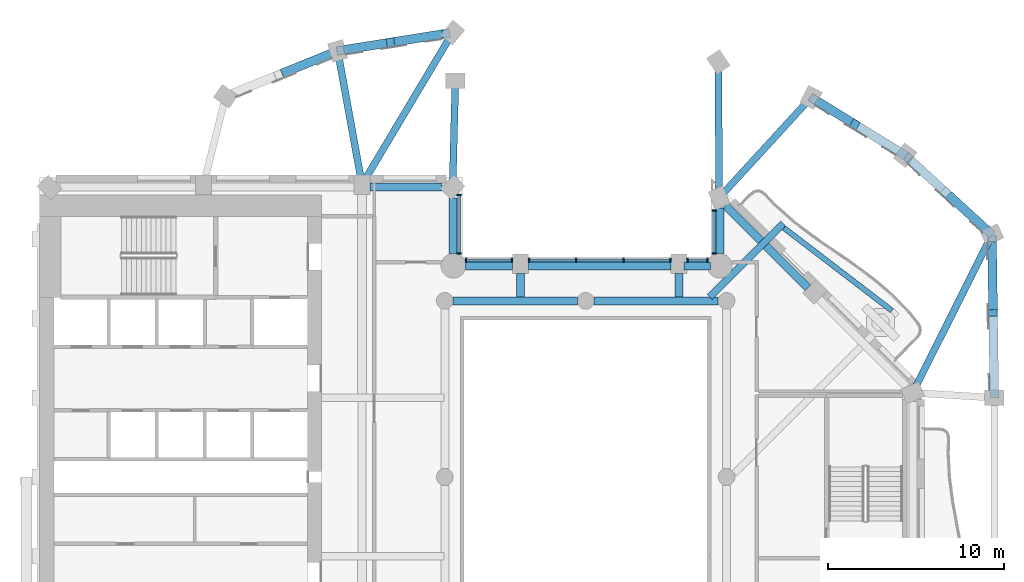
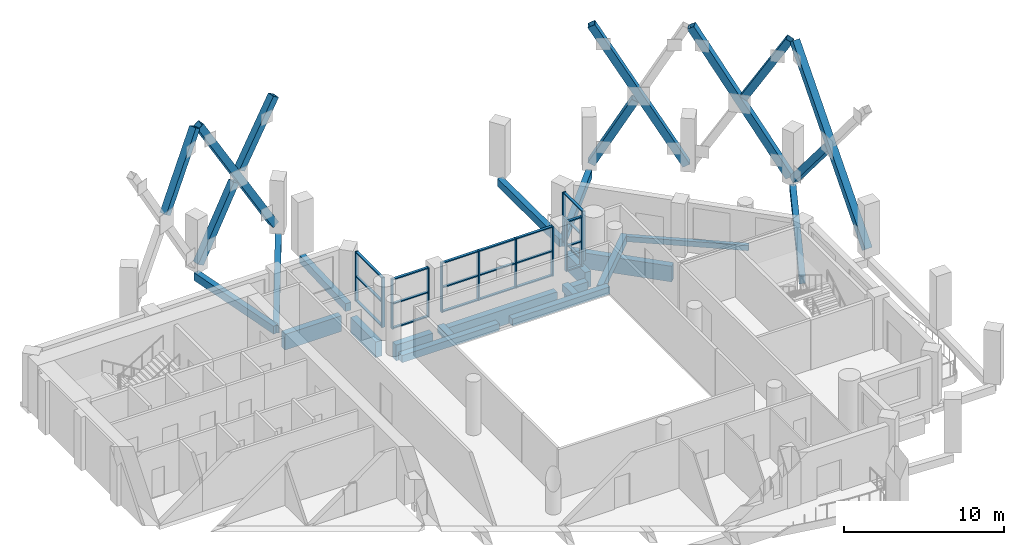
# One storey, part 2 of 17: 43 members, 19 beams, 5 elements without a shape of their own.
"""IFC4 building model written with IfcOpenShell, lengths in metres."""

from ifc_helpers import new_model, si_unit, direction, frame, origin, origin_2d, place, context, subcontext, project, spatial, rectangle, hollow_rectangle, extrude, material, material_profile, profile_set, type_object, element, aggregate, save


model = new_model("IFC4")

# Units and contexts
model_context = context("Model", 3, precision=1e-05, world=origin(), true_north=direction((0.0, 1.0)))
body_context = subcontext(model_context, "Body", "Model", "MODEL_VIEW")
ifc_project = project(units=[si_unit("LENGTHUNIT", "METRE"), si_unit("AREAUNIT", "SQUARE_METRE"), si_unit("VOLUMEUNIT", "CUBIC_METRE"), si_unit("PLANEANGLEUNIT", "RADIAN"), si_unit("MASSUNIT", "GRAM", prefix="KILO")], contexts=[model_context])

# Site, building, storey
site_placement = place(None, origin())
site = spatial("IfcSite", under=ifc_project, at=site_placement, CompositionType="ELEMENT")
building_placement = place(site_placement, origin())
building = spatial("IfcBuilding", under=site, at=building_placement, Name="Cypress Arch Tower", CompositionType="ELEMENT")
storey_placement = place(building_placement, frame((0.0, 0.0, 217.89990234375)))
storey = spatial("IfcBuildingStorey", under=building, at=storey_placement, Name="L48", CompositionType="ELEMENT", Elevation=217.89990234375)

# Beams
ifc_material_1 = material(Name="Concrete C50/60", Category="concrete")
ifc_material_profile_1 = material_profile(ifc_material_1, rectangle(XDim=0.300048828125, YDim=0.39990234375, at=origin_2d()), Name="RC 300x400")
ifc_profile_set_1 = profile_set([ifc_material_profile_1], Name="Concrete C50/60")
beam_type_1 = type_object("IfcBeamType", Name="Balcony edge beam RC 300x400 Concrete C50/60", PredefinedType="BEAM", material=ifc_profile_set_1)
beam_1_placement = place(storey_placement, frame((18.38671875, 9.4453125, -0.5), z_axis=(-0.794089650459, 0.607800647445, 0.0), x_axis=(-0.607800647445, -0.794089650459, 0.0)))
element("IfcBeam", 1, at=beam_1_placement, inside=storey, type_object=beam_type_1, Name="Balcony edge beam L48 B05", PredefinedType="BEAM", context=body_context, shape_type="SweptSolid", body=[
    extrude(rectangle(XDim=0.300048828125, YDim=0.39990234375, at=origin_2d()), origin(), (0.0, 0.0, 1.0), 7.728271484375),
])
ifc_material_2 = material(Name="Concrete C50/60", Category="concrete")
ifc_material_profile_2 = material_profile(ifc_material_2, rectangle(XDim=0.39990234375, YDim=0.64990234375, at=origin_2d()), Name="RC 400x650")
ifc_profile_set_2 = profile_set([ifc_material_profile_2], Name="Concrete C50/60")
beam_type_2 = type_object("IfcBeamType", Name="Cantilever beam RC 400x650 Concrete C50/60", PredefinedType="BEAM", material=ifc_profile_set_2)
beam_2_placement = place(storey_placement, frame((8.04931640625, 10.22509765625, -0.625), z_axis=(0.707106781187, 0.707106781187, 0.0), x_axis=(-0.707106781187, 0.707106781187, 0.0)))
element("IfcBeam", 2, at=beam_2_placement, inside=storey, type_object=beam_type_2, Name="Cantilever beam L48 B05 2", PredefinedType="BEAM", context=body_context, shape_type="SweptSolid", body=[
    extrude(rectangle(XDim=0.39990234375, YDim=0.64990234375, at=origin_2d()), origin(), (0.0, 0.0, 1.0), 5.89013671875),
])

# Members
ifc_material_3 = material(Name="Steel ASTM A500 Grade C", Category="steel")
ifc_material_profile_3 = material_profile(ifc_material_3, hollow_rectangle(XDim=0.508056640625, YDim=0.508056640625, WallThickness=0.017578125, at=origin_2d()), Name="HSS 20x20x3/4")
ifc_profile_set_3 = profile_set([ifc_material_profile_3], Name="Steel ASTM A500 Grade C")
member_type_1 = type_object("IfcMemberType", Name="Exoskeleton brace HSS 20x20x3/4 Steel ASTM A500 Grade C", PredefinedType="BRACE", material=ifc_profile_set_3)
member_1_placement = place(storey_placement, frame((-6.93212890625, 25.17529296875, 0.65234375), z_axis=(-0.505584670669, -0.080730521878, 0.858991690077), x_axis=(0.157680025713, -0.987490257922, 0.0)))
element("IfcMember", 3, at=member_1_placement, inside=storey, type_object=member_type_1, Name="Exoskeleton brace L48 CQ02-CQ03a", PredefinedType="BRACE", context=body_context, shape_type="SweptSolid", body=[
    extrude(hollow_rectangle(XDim=0.508056640625, YDim=0.508056640625, WallThickness=0.017578125, at=origin_2d()), origin(), (0.0, 0.0, 1.0), 11.860595703125),
])
member_2_placement = place(storey_placement, frame((-6.93212890625, 25.17529296875, 10.447998046875), z_axis=(-0.520278376179, -0.083104554975, -0.849943553551), x_axis=(0.157731437326, -0.987482047269, 0.0)))
element("IfcMember", 4, at=member_2_placement, inside=storey, type_object=member_type_1, Name="Exoskeleton brace L48 CQ02-CQ03b1", PredefinedType="BRACE", context=body_context, shape_type="SweptSolid", body=[
    extrude(hollow_rectangle(XDim=0.508056640625, YDim=0.508056640625, WallThickness=0.017578125, at=origin_2d()), origin(), (0.0, 0.0, 1.0), 5.232177734375),
])
member_3_placement = place(storey_placement, frame((-12.9287109375, 24.2177734375, 0.259521484375), z_axis=(0.491532190594, 0.078459347949, 0.867317840431), x_axis=(-0.157626526516, 0.987498799057, 0.0)))
element("IfcMember", 5, at=member_3_placement, inside=storey, type_object=member_type_1, Name="Exoskeleton brace L48 CQ02-CQ03b2", PredefinedType="BRACE", context=body_context, shape_type="SweptSolid", body=[
    extrude(hollow_rectangle(XDim=0.508056640625, YDim=0.508056640625, WallThickness=0.017578125, at=origin_2d()), origin(), (0.0, 0.0, 1.0), 5.781494140625),
])
member_4_placement = place(storey_placement, frame((-13.226806640625, 24.13427734375, 10.846435546875), z_axis=(-0.4826891813, -0.195486816119, -0.853695530608), x_axis=(0.375378569734, -0.926871581927, 0.0)))
element("IfcMember", 6, at=member_4_placement, inside=storey, type_object=member_type_1, Name="Exoskeleton brace L48 CQ03-CQ04b1", PredefinedType="BRACE", context=body_context, shape_type="SweptSolid", body=[
    extrude(hollow_rectangle(XDim=0.508056640625, YDim=0.508056640625, WallThickness=0.017578125, at=origin_2d()), origin(), (0.0, 0.0, 1.0), 5.832275390625),
])
member_5_placement = place(storey_placement, frame((24.197509765625, 4.675048828125, 0.2099609375), z_axis=(-0.009415469252, 0.640534020566, 0.76787207101), x_axis=(-0.999891981245, -0.014697817606, 0.0)))
element("IfcMember", 7, at=member_5_placement, inside=storey, type_object=member_type_1, Name="Exoskeleton brace L48 CQ14-CQ15a", PredefinedType="BRACE", context=body_context, shape_type="SweptSolid", body=[
    extrude(hollow_rectangle(XDim=0.508056640625, YDim=0.508056640625, WallThickness=0.017578125, at=origin_2d()), origin(), (0.0, 0.0, 1.0), 13.846435546875),
])
member_6_placement = place(storey_placement, frame((24.067138671875, 13.544189453125, 0.2578125), z_axis=(0.009415695854, -0.64223201051, 0.766452470378), x_axis=(0.999892546406, 0.014659319295, 0.0)))
element("IfcMember", 8, at=member_6_placement, inside=storey, type_object=member_type_1, Name="Exoskeleton brace L48 CQ14-CQ15b2", PredefinedType="BRACE", context=body_context, shape_type="SweptSolid", body=[
    extrude(hollow_rectangle(XDim=0.508056640625, YDim=0.508056640625, WallThickness=0.017578125, at=origin_2d()), origin(), (0.0, 0.0, 1.0), 6.5859375),
])
member_7_placement = place(storey_placement, frame((23.921875, 13.88916015625, 0.320068359375), z_axis=(-0.38024185119, 0.348034813706, 0.856906005961), x_axis=(-0.675176044465, -0.737656633523, 0.0)))
element("IfcMember", 9, at=member_7_placement, inside=storey, type_object=member_type_1, Name="Exoskeleton brace L48 CQ15-CQ16a", PredefinedType="BRACE", context=body_context, shape_type="SweptSolid", body=[
    extrude(hollow_rectangle(XDim=0.508056640625, YDim=0.508056640625, WallThickness=0.017578125, at=origin_2d()), origin(), (0.0, 0.0, 1.0), 12.2802734375),
])
member_8_placement = place(storey_placement, frame((23.921875, 13.88916015625, 10.7802734375), z_axis=(-0.381909880226, 0.349557032425, -0.855543525759), x_axis=(-0.675171287783, -0.737660987279, 0.0)))
element("IfcMember", 10, at=member_8_placement, inside=storey, type_object=member_type_1, Name="Exoskeleton brace L48 CQ15-CQ16b1", PredefinedType="BRACE", context=body_context, shape_type="SweptSolid", body=[
    extrude(hollow_rectangle(XDim=0.508056640625, YDim=0.508056640625, WallThickness=0.017578125, at=origin_2d()), origin(), (0.0, 0.0, 1.0), 5.6748046875),
])
member_9_placement = place(storey_placement, frame((19.010009765625, 18.346435546875, 0.266845703125), z_axis=(-0.418602629322, 0.257463858202, 0.870909984122), x_axis=(-0.523894090473, -0.851783412592, 0.0)))
element("IfcMember", 11, at=member_9_placement, inside=storey, type_object=member_type_1, Name="Exoskeleton brace L48 CQ16-CQ17a", PredefinedType="BRACE", context=body_context, shape_type="SweptSolid", body=[
    extrude(hollow_rectangle(XDim=0.508056640625, YDim=0.508056640625, WallThickness=0.017578125, at=origin_2d()), origin(), (0.0, 0.0, 1.0), 12.1328125),
])
member_10_placement = place(storey_placement, frame((13.93115234375, 21.47021484375, 0.2666015625), z_axis=(0.418596905239, -0.257434271595, 0.870921481382), x_axis=(0.523855606168, 0.851807081378, 0.0)))
element("IfcMember", 12, at=member_10_placement, inside=storey, type_object=member_type_1, Name="Exoskeleton brace L48 CQ16-CQ17b2", PredefinedType="BRACE", context=body_context, shape_type="SweptSolid", body=[
    extrude(hollow_rectangle(XDim=0.508056640625, YDim=0.508056640625, WallThickness=0.017578125, at=origin_2d()), origin(), (0.0, 0.0, 1.0), 5.6171875),
])

# Beams
ifc_material_4 = material(Name="Concrete C50/60", Category="concrete")
ifc_material_profile_4 = material_profile(ifc_material_4, rectangle(XDim=0.449951171875, YDim=0.550048828125, at=origin_2d()), Name="RC 450x550")
ifc_profile_set_4 = profile_set([ifc_material_profile_4], Name="Concrete C50/60")
beam_type_3 = type_object("IfcBeamType", Name="Floor beam RC 450x550 Concrete C50/60", PredefinedType="BEAM", material=ifc_profile_set_4)
for number, where, z_axis, x_axis, name in (
    (13, (-6.52490234375, 10.0, -0.574951171875), (1.0, 0.0, 0.0), (0.0, 1.0, 0.0), "Floor beam L48 RB007"),
    (14, (1.47509765625, 10.0, -0.574951171875), (1.0, 0.0, 0.0), (0.0, 1.0, 0.0), "Floor beam L48 RB008"),
):
    element("IfcBeam", number, at=place(storey_placement, frame(where, z_axis=z_axis, x_axis=x_axis)), inside=storey, type_object=beam_type_3, Name=name, PredefinedType="BEAM", context=body_context, shape_type="SweptSolid", body=[
        extrude(rectangle(XDim=0.449951171875, YDim=0.550048828125, at=origin_2d()), origin(), (0.0, 0.0, 1.0), 7.0498046875),
    ])
for number, where, z_axis, x_axis, name in (
    (15, (-2.699951171875, 10.22509765625, -0.574951171875), (0.0, 1.0, 0.0), (-1.0, 0.0, 0.0), "Floor beam L48 FB015"),
    (16, (6.300048828125, 10.22509765625, -0.574951171875), (0.0, 1.0, 0.0), (-1.0, 0.0, 0.0), "Floor beam L48 FB017"),
):
    element("IfcBeam", number, at=place(storey_placement, frame(where, z_axis=z_axis, x_axis=x_axis)), inside=storey, type_object=beam_type_3, Name=name, PredefinedType="BEAM", context=body_context, shape_type="SweptSolid", body=[
        extrude(rectangle(XDim=0.449951171875, YDim=0.550048828125, at=origin_2d()), origin(), (0.0, 0.0, 1.0), 1.324951171875),
    ])

# Curtain wall, members
ifc_material_5 = material(Name="Anodised aluminium, bronze finish, clear laminated double glazing", Category="aluminium")
curtain_wall_type = type_object("IfcCurtainWallType", Name="Curtain wall CW7 slot glazing", PredefinedType="NOTDEFINED", material=ifc_material_5)
curtain_wall_1_placement = place(storey_placement, origin())
curtain_wall_1 = element("IfcCurtainWall", 17, at=curtain_wall_1_placement, inside=storey, type_object=curtain_wall_type, Name="Curtain wall L48 slot B06.0", PredefinedType="NOTDEFINED")
ifc_material_6 = material(Name="Anodised aluminium, bronze finish", Category="aluminium")
ifc_material_profile_5 = material_profile(ifc_material_6, rectangle(XDim=0.239990234375, YDim=0.0849609375, at=origin_2d()), Name="Mullion 85x240")
ifc_profile_set_5 = profile_set([ifc_material_profile_5], Name="Anodised aluminium, bronze finish")
member_type_2 = type_object("IfcMemberType", Name="Mullion CW7 85x240", PredefinedType="MULLION", material=ifc_profile_set_5)
member_11_placement = place(storey_placement, frame((8.300048828125, 15.12744140625, 0.0), z_axis=(0.0, 0.0, 1.0), x_axis=(1.0, 0.0, 0.0)))
member_11 = element("IfcMember", 18, at=member_11_placement, type_object=member_type_2, Name="CW7 mullion 1", PredefinedType="MULLION", context=body_context, shape_type="SweptSolid", body=[
    extrude(rectangle(XDim=0.239990234375, YDim=0.0849609375, at=origin_2d()), origin(), (0.0, 0.0, 1.0), 3.800048828125),
])
member_12_placement = place(storey_placement, frame((8.300048828125, 12.697021484375, 0.0), z_axis=(0.0, 0.0, 1.0), x_axis=(1.0, 0.0, 0.0)))
member_12 = element("IfcMember", 19, at=member_12_placement, type_object=member_type_2, Name="CW7 mullion 2", PredefinedType="MULLION", context=body_context, shape_type="SweptSolid", body=[
    extrude(rectangle(XDim=0.239990234375, YDim=0.0849609375, at=origin_2d()), origin(), (0.0, 0.0, 1.0), 3.800048828125),
])

curtain_wall_2_placement = place(storey_placement, origin())
curtain_wall_2 = element("IfcCurtainWall", 20, at=curtain_wall_2_placement, inside=storey, type_object=curtain_wall_type, Name="Curtain wall L48 slot B07.0", PredefinedType="NOTDEFINED")
member_13_placement = place(storey_placement, frame((7.903076171875, 12.300048828125, 0.0), z_axis=(0.0, 0.0, 1.0), x_axis=(0.0, -1.0, 0.0)))
member_13 = element("IfcMember", 21, at=member_13_placement, type_object=member_type_2, Name="CW7 mullion 1", PredefinedType="MULLION", context=body_context, shape_type="SweptSolid", body=[
    extrude(rectangle(XDim=0.239990234375, YDim=0.0849609375, at=origin_2d()), origin(), (0.0, 0.0, 1.0), 3.800048828125),
])
member_14_placement = place(storey_placement, frame((6.79248046875, 12.300048828125, 0.0), z_axis=(0.0, 0.0, 1.0), x_axis=(0.0, -1.0, 0.0)))
member_14 = element("IfcMember", 22, at=member_14_placement, type_object=member_type_2, Name="CW7 mullion 2", PredefinedType="MULLION", context=body_context, shape_type="SweptSolid", body=[
    extrude(rectangle(XDim=0.239990234375, YDim=0.0849609375, at=origin_2d()), origin(), (0.0, 0.0, 1.0), 3.800048828125),
])

curtain_wall_3_placement = place(storey_placement, origin())
curtain_wall_3 = element("IfcCurtainWall", 23, at=curtain_wall_3_placement, inside=storey, type_object=curtain_wall_type, Name="Curtain wall L48 slot B07.1", PredefinedType="NOTDEFINED")
member_15_placement = place(storey_placement, frame((5.8076171875, 12.300048828125, 0.0), z_axis=(0.0, 0.0, 1.0), x_axis=(0.0, -1.0, 0.0)))
member_15 = element("IfcMember", 24, at=member_15_placement, type_object=member_type_2, Name="CW7 mullion 1", PredefinedType="MULLION", context=body_context, shape_type="SweptSolid", body=[
    extrude(rectangle(XDim=0.239990234375, YDim=0.0849609375, at=origin_2d()), origin(), (0.0, 0.0, 1.0), 3.800048828125),
])
member_16_placement = place(storey_placement, frame((3.14990234375, 12.300048828125, 0.0), z_axis=(0.0, 0.0, 1.0), x_axis=(0.0, -1.0, 0.0)))
member_16 = element("IfcMember", 25, at=member_16_placement, type_object=member_type_2, Name="CW7 mullion 2", PredefinedType="MULLION", context=body_context, shape_type="SweptSolid", body=[
    extrude(rectangle(XDim=0.239990234375, YDim=0.0849609375, at=origin_2d()), origin(), (0.0, 0.0, 1.0), 3.800048828125),
])
member_17_placement = place(storey_placement, frame((0.449951171875, 12.300048828125, 0.0), z_axis=(0.0, 0.0, 1.0), x_axis=(0.0, -1.0, 0.0)))
member_17 = element("IfcMember", 26, at=member_17_placement, type_object=member_type_2, Name="CW7 mullion 3", PredefinedType="MULLION", context=body_context, shape_type="SweptSolid", body=[
    extrude(rectangle(XDim=0.239990234375, YDim=0.0849609375, at=origin_2d()), origin(), (0.0, 0.0, 1.0), 3.800048828125),
])
member_18_placement = place(storey_placement, frame((-2.20751953125, 12.300048828125, 0.0), z_axis=(0.0, 0.0, 1.0), x_axis=(0.0, -1.0, 0.0)))
member_18 = element("IfcMember", 27, at=member_18_placement, type_object=member_type_2, Name="CW7 mullion 4", PredefinedType="MULLION", context=body_context, shape_type="SweptSolid", body=[
    extrude(rectangle(XDim=0.239990234375, YDim=0.0849609375, at=origin_2d()), origin(), (0.0, 0.0, 1.0), 3.800048828125),
])

curtain_wall_4_placement = place(storey_placement, origin())
curtain_wall_4 = element("IfcCurtainWall", 28, at=curtain_wall_4_placement, inside=storey, type_object=curtain_wall_type, Name="Curtain wall L48 slot B07.2", PredefinedType="NOTDEFINED")
member_19_placement = place(storey_placement, frame((-3.1923828125, 12.300048828125, 0.0), z_axis=(0.0, 0.0, 1.0), x_axis=(0.0, -1.0, 0.0)))
member_19 = element("IfcMember", 29, at=member_19_placement, type_object=member_type_2, Name="CW7 mullion 1", PredefinedType="MULLION", context=body_context, shape_type="SweptSolid", body=[
    extrude(rectangle(XDim=0.239990234375, YDim=0.0849609375, at=origin_2d()), origin(), (0.0, 0.0, 1.0), 3.800048828125),
])
member_20_placement = place(storey_placement, frame((-5.802978515625, 12.300048828125, 0.0), z_axis=(0.0, 0.0, 1.0), x_axis=(0.0, -1.0, 0.0)))
member_20 = element("IfcMember", 30, at=member_20_placement, type_object=member_type_2, Name="CW7 mullion 2", PredefinedType="MULLION", context=body_context, shape_type="SweptSolid", body=[
    extrude(rectangle(XDim=0.239990234375, YDim=0.0849609375, at=origin_2d()), origin(), (0.0, 0.0, 1.0), 3.800048828125),
])

curtain_wall_5_placement = place(storey_placement, origin())
curtain_wall_5 = element("IfcCurtainWall", 31, at=curtain_wall_5_placement, inside=storey, type_object=curtain_wall_type, Name="Curtain wall L48 slot B08.0", PredefinedType="NOTDEFINED")
member_21_placement = place(storey_placement, frame((-6.199951171875, 12.697021484375, 0.0), z_axis=(0.0, 0.0, 1.0), x_axis=(-1.0, 0.0, 0.0)))
member_21 = element("IfcMember", 32, at=member_21_placement, type_object=member_type_2, Name="CW7 mullion 1", PredefinedType="MULLION", context=body_context, shape_type="SweptSolid", body=[
    extrude(rectangle(XDim=0.239990234375, YDim=0.0849609375, at=origin_2d()), origin(), (0.0, 0.0, 1.0), 3.800048828125),
])
member_22_placement = place(storey_placement, frame((-6.199951171875, 16.02099609375, 0.0), z_axis=(0.0, 0.0, 1.0), x_axis=(-1.0, 0.0, 0.0)))
member_22 = element("IfcMember", 33, at=member_22_placement, type_object=member_type_2, Name="CW7 mullion 2", PredefinedType="MULLION", context=body_context, shape_type="SweptSolid", body=[
    extrude(rectangle(XDim=0.239990234375, YDim=0.0849609375, at=origin_2d()), origin(), (0.0, 0.0, 1.0), 3.800048828125),
])

# Beams
ifc_material_7 = material(Name="Concrete C50/60", Category="concrete")
ifc_material_profile_6 = material_profile(ifc_material_7, rectangle(XDim=0.39990234375, YDim=0.60009765625, at=origin_2d()), Name="RC 400x600")
ifc_profile_set_6 = profile_set([ifc_material_profile_6], Name="Concrete C50/60")
beam_type_4 = type_object("IfcBeamType", Name="Pilotis tie beam RC 400x600 Concrete C50/60", PredefinedType="BEAM", material=ifc_profile_set_6)
beam_3_placement = place(storey_placement, frame((8.53076171875, 23.564697265625, -0.599853515625), z_axis=(0.005886346529, -0.999982675312, 0.0), x_axis=(0.999982675312, 0.005886346529, 0.0)))
element("IfcBeam", 34, at=beam_3_placement, inside=storey, type_object=beam_type_4, Name="Pilotis tie beam L48 CQ00-CB12", PredefinedType="BEAM", context=body_context, shape_type="SweptSolid", body=[
    extrude(rectangle(XDim=0.39990234375, YDim=0.60009765625, at=origin_2d()), origin(), (0.0, 0.0, 1.0), 7.714599609375),
])
beam_4_placement = place(storey_placement, frame((-6.39990234375, 22.5, -0.599853515625), z_axis=(-0.02594853496, -0.999663280077, 0.0), x_axis=(0.999663280077, -0.02594853496, 0.0)))
element("IfcBeam", 35, at=beam_4_placement, inside=storey, type_object=beam_type_4, Name="Pilotis tie beam L48 CQ01-CB17", PredefinedType="BEAM", context=body_context, shape_type="SweptSolid", body=[
    extrude(rectangle(XDim=0.39990234375, YDim=0.60009765625, at=origin_2d()), origin(), (0.0, 0.0, 1.0), 6.05908203125),
])
beam_5_placement = place(storey_placement, frame((-6.54833984375, 25.236572265625, -0.599853515625), z_axis=(-0.51228050024, -0.85881819326, 0.0), x_axis=(0.85881819326, -0.51228050024, 0.0)))
element("IfcBeam", 36, at=beam_5_placement, inside=storey, type_object=beam_type_4, Name="Pilotis tie beam L48 CQ02-CB18", PredefinedType="BEAM", context=body_context, shape_type="SweptSolid", body=[
    extrude(rectangle(XDim=0.39990234375, YDim=0.60009765625, at=origin_2d()), origin(), (0.0, 0.0, 1.0), 10.05615234375),
])
beam_6_placement = place(storey_placement, frame((-13.081298828125, 24.193359375, -0.599853515625), z_axis=(0.178980083609, -0.983852697141, 0.0), x_axis=(0.983852697141, 0.178980083609, 0.0)))
element("IfcBeam", 37, at=beam_6_placement, inside=storey, type_object=beam_type_4, Name="Pilotis tie beam L48 CQ03-CB18", PredefinedType="BEAM", context=body_context, shape_type="SweptSolid", body=[
    extrude(rectangle(XDim=0.39990234375, YDim=0.60009765625, at=origin_2d()), origin(), (0.0, 0.0, 1.0), 7.7177734375),
])
beam_7_placement = place(storey_placement, frame((24.06396484375, 13.75927734375, -0.599853515625), z_axis=(-0.447602582549, -0.894232591721, 0.0), x_axis=(0.894232591721, -0.447602582549, 0.0)))
element("IfcBeam", 38, at=beam_7_placement, inside=storey, type_object=beam_type_4, Name="Pilotis tie beam L48 CQ15-CB10", PredefinedType="BEAM", context=body_context, shape_type="SweptSolid", body=[
    extrude(rectangle(XDim=0.39990234375, YDim=0.60009765625, at=origin_2d()), origin(), (0.0, 0.0, 1.0), 10.041015625),
])
beam_8_placement = place(storey_placement, frame((13.80322265625, 21.549072265625, -0.599853515625), z_axis=(-0.675950483499, -0.736947042776, 0.0), x_axis=(0.736947042776, -0.675950483499, 0.0)))
element("IfcBeam", 39, at=beam_8_placement, inside=storey, type_object=beam_type_4, Name="Pilotis tie beam L48 CQ17-CB12", PredefinedType="BEAM", context=body_context, shape_type="SweptSolid", body=[
    extrude(rectangle(XDim=0.39990234375, YDim=0.60009765625, at=origin_2d()), origin(), (0.0, 0.0, 1.0), 7.73291015625),
])
ifc_material_8 = material(Name="Concrete C50/60", Category="concrete")
ifc_material_profile_7 = material_profile(ifc_material_8, rectangle(XDim=0.449951171875, YDim=1.199951171875, at=origin_2d()), Name="RC 450x1200")
ifc_profile_set_7 = profile_set([ifc_material_profile_7], Name="Concrete C50/60")
beam_type_5 = type_object("IfcBeamType", Name="Spandrel beam RC 450x1200 Concrete C50/60", PredefinedType="SPANDREL", material=ifc_profile_set_7)
beam_9_placement = place(storey_placement, frame((13.622802734375, 10.73486328125, -1.5498046875), z_axis=(-0.707106781187, 0.707106781187, 0.0), x_axis=(-0.707106781187, -0.707106781187, 0.0)))
element("IfcBeam", 40, at=beam_9_placement, inside=storey, type_object=beam_type_5, Name="Spandrel beam L48 BB05-1", PredefinedType="SPANDREL", context=body_context, shape_type="SweptSolid", body=[
    extrude(rectangle(XDim=0.449951171875, YDim=1.199951171875, at=origin_2d()), origin(), (0.0, 0.0, 1.0), 6.610595703125),
])
beam_10_placement = place(storey_placement, frame((8.625, 15.275146484375, -1.5498046875), z_axis=(0.0, -1.0, 0.0), x_axis=(1.0, 0.0, 0.0)))
element("IfcBeam", 41, at=beam_10_placement, inside=storey, type_object=beam_type_5, Name="Spandrel beam L48 BB06-0", PredefinedType="SPANDREL", context=body_context, shape_type="SweptSolid", body=[
    extrude(rectangle(XDim=0.449951171875, YDim=1.199951171875, at=origin_2d()), origin(), (0.0, 0.0, 1.0), 2.587646484375),
])
beam_11_placement = place(storey_placement, frame((8.081298828125, 11.97509765625, -1.5498046875), z_axis=(-1.0, 0.0, 0.0), x_axis=(0.0, -1.0, 0.0)))
element("IfcBeam", 42, at=beam_11_placement, inside=storey, type_object=beam_type_5, Name="Spandrel beam L48 BB07-0", PredefinedType="SPANDREL", context=body_context, shape_type="SweptSolid", body=[
    extrude(rectangle(XDim=0.449951171875, YDim=1.199951171875, at=origin_2d()), origin(), (0.0, 0.0, 1.0), 1.5),
])
beam_12_placement = place(storey_placement, frame((5.85009765625, 11.97509765625, -1.5498046875), z_axis=(-1.0, 0.0, 0.0), x_axis=(0.0, -1.0, 0.0)))
element("IfcBeam", 43, at=beam_12_placement, inside=storey, type_object=beam_type_5, Name="Spandrel beam L48 BB07-1", PredefinedType="SPANDREL", context=body_context, shape_type="SweptSolid", body=[
    extrude(rectangle(XDim=0.449951171875, YDim=1.199951171875, at=origin_2d()), origin(), (0.0, 0.0, 1.0), 8.10009765625),
])
beam_13_placement = place(storey_placement, frame((-3.14990234375, 11.97509765625, -1.5498046875), z_axis=(-1.0, 0.0, 0.0), x_axis=(0.0, -1.0, 0.0)))
element("IfcBeam", 44, at=beam_13_placement, inside=storey, type_object=beam_type_5, Name="Spandrel beam L48 BB07-2", PredefinedType="SPANDREL", context=body_context, shape_type="SweptSolid", body=[
    extrude(rectangle(XDim=0.449951171875, YDim=1.199951171875, at=origin_2d()), origin(), (0.0, 0.0, 1.0), 2.66259765625),
])
beam_14_placement = place(storey_placement, frame((-6.52490234375, 12.6875, -1.5498046875), z_axis=(0.0, 1.0, 0.0), x_axis=(-1.0, 0.0, 0.0)))
element("IfcBeam", 45, at=beam_14_placement, inside=storey, type_object=beam_type_5, Name="Spandrel beam L48 BB08-0", PredefinedType="SPANDREL", context=body_context, shape_type="SweptSolid", body=[
    extrude(rectangle(XDim=0.449951171875, YDim=1.199951171875, at=origin_2d()), origin(), (0.0, 0.0, 1.0), 3.151123046875),
])
beam_15_placement = place(storey_placement, frame((-7.161376953125, 16.47509765625, -1.5498046875), z_axis=(-1.0, 0.0, 0.0), x_axis=(0.0, -1.0, 0.0)))
element("IfcBeam", 46, at=beam_15_placement, inside=storey, type_object=beam_type_5, Name="Spandrel beam L48 BB09-0", PredefinedType="SPANDREL", context=body_context, shape_type="SweptSolid", body=[
    extrude(rectangle(XDim=0.449951171875, YDim=1.199951171875, at=origin_2d()), origin(), (0.0, 0.0, 1.0), 4.088623046875),
])

# Member
ifc_material_9 = material(Name="Anodised aluminium, bronze finish", Category="aluminium")
ifc_material_profile_8 = material_profile(ifc_material_9, rectangle(XDim=0.179931640625, YDim=0.0849609375, at=origin_2d()), Name="Transom 85x180")
ifc_profile_set_8 = profile_set([ifc_material_profile_8], Name="Anodised aluminium, bronze finish")
member_type_3 = type_object("IfcMemberType", Name="Transom CW7 85x180", PredefinedType="USERDEFINED", material=ifc_profile_set_8)
member_23_placement = place(storey_placement, frame((8.300048828125, 15.0849609375, 0.04248046875), z_axis=(0.0, -1.0, 0.0), x_axis=(1.0, 0.0, 0.0)))
member_23 = element("IfcMember", 47, at=member_23_placement, type_object=member_type_3, Name="CW7 transom 1.1", ObjectType="TRANSOM", PredefinedType="USERDEFINED", context=body_context, shape_type="SweptSolid", body=[
    extrude(rectangle(XDim=0.179931640625, YDim=0.0849609375, at=origin_2d()), origin(), (0.0, 0.0, 1.0), 2.345458984375),
])

member_24_placement = place(storey_placement, frame((8.300048828125, 15.0849609375, 1.900146484375), z_axis=(0.0, -1.0, 0.0), x_axis=(1.0, 0.0, 0.0)))
member_24 = element("IfcMember", 48, at=member_24_placement, type_object=member_type_3, Name="CW7 transom 1.2", ObjectType="TRANSOM", PredefinedType="USERDEFINED", context=body_context, shape_type="SweptSolid", body=[
    extrude(rectangle(XDim=0.179931640625, YDim=0.0849609375, at=origin_2d()), origin(), (0.0, 0.0, 1.0), 2.345458984375),
])

member_25_placement = place(storey_placement, frame((8.300048828125, 15.0849609375, 3.757568359375), z_axis=(0.0, -1.0, 0.0), x_axis=(1.0, 0.0, 0.0)))
member_25 = element("IfcMember", 49, at=member_25_placement, type_object=member_type_3, Name="CW7 transom 1.3", ObjectType="TRANSOM", PredefinedType="USERDEFINED", context=body_context, shape_type="SweptSolid", body=[
    extrude(rectangle(XDim=0.179931640625, YDim=0.0849609375, at=origin_2d()), origin(), (0.0, 0.0, 1.0), 2.345458984375),
])

aggregate(curtain_wall_1, [member_11, member_12, member_23, member_24, member_25])

member_26_placement = place(storey_placement, frame((7.8603515625, 12.300048828125, 0.04248046875), z_axis=(-1.0, 0.0, 0.0), x_axis=(0.0, -1.0, 0.0)))
member_26 = element("IfcMember", 50, at=member_26_placement, type_object=member_type_3, Name="CW7 transom 1.1", ObjectType="TRANSOM", PredefinedType="USERDEFINED", context=body_context, shape_type="SweptSolid", body=[
    extrude(rectangle(XDim=0.179931640625, YDim=0.0849609375, at=origin_2d()), origin(), (0.0, 0.0, 1.0), 1.025390625),
])

member_27_placement = place(storey_placement, frame((7.8603515625, 12.300048828125, 1.900146484375), z_axis=(-1.0, 0.0, 0.0), x_axis=(0.0, -1.0, 0.0)))
member_27 = element("IfcMember", 51, at=member_27_placement, type_object=member_type_3, Name="CW7 transom 1.2", ObjectType="TRANSOM", PredefinedType="USERDEFINED", context=body_context, shape_type="SweptSolid", body=[
    extrude(rectangle(XDim=0.179931640625, YDim=0.0849609375, at=origin_2d()), origin(), (0.0, 0.0, 1.0), 1.025390625),
])

member_28_placement = place(storey_placement, frame((7.8603515625, 12.300048828125, 3.757568359375), z_axis=(-1.0, 0.0, 0.0), x_axis=(0.0, -1.0, 0.0)))
member_28 = element("IfcMember", 52, at=member_28_placement, type_object=member_type_3, Name="CW7 transom 1.3", ObjectType="TRANSOM", PredefinedType="USERDEFINED", context=body_context, shape_type="SweptSolid", body=[
    extrude(rectangle(XDim=0.179931640625, YDim=0.0849609375, at=origin_2d()), origin(), (0.0, 0.0, 1.0), 1.025390625),
])

aggregate(curtain_wall_2, [member_13, member_14, member_26, member_27, member_28])

member_29_placement = place(storey_placement, frame((5.764892578125, 12.300048828125, 0.04248046875), z_axis=(-1.0, 0.0, 0.0), x_axis=(0.0, -1.0, 0.0)))
member_29 = element("IfcMember", 53, at=member_29_placement, type_object=member_type_3, Name="CW7 transom 1.1", ObjectType="TRANSOM", PredefinedType="USERDEFINED", context=body_context, shape_type="SweptSolid", body=[
    extrude(rectangle(XDim=0.179931640625, YDim=0.0849609375, at=origin_2d()), origin(), (0.0, 0.0, 1.0), 2.572509765625),
])

member_30_placement = place(storey_placement, frame((5.764892578125, 12.300048828125, 1.900146484375), z_axis=(-1.0, 0.0, 0.0), x_axis=(0.0, -1.0, 0.0)))
member_30 = element("IfcMember", 54, at=member_30_placement, type_object=member_type_3, Name="CW7 transom 1.2", ObjectType="TRANSOM", PredefinedType="USERDEFINED", context=body_context, shape_type="SweptSolid", body=[
    extrude(rectangle(XDim=0.179931640625, YDim=0.0849609375, at=origin_2d()), origin(), (0.0, 0.0, 1.0), 2.572509765625),
])

member_31_placement = place(storey_placement, frame((5.764892578125, 12.300048828125, 3.757568359375), z_axis=(-1.0, 0.0, 0.0), x_axis=(0.0, -1.0, 0.0)))
member_31 = element("IfcMember", 55, at=member_31_placement, type_object=member_type_3, Name="CW7 transom 1.3", ObjectType="TRANSOM", PredefinedType="USERDEFINED", context=body_context, shape_type="SweptSolid", body=[
    extrude(rectangle(XDim=0.179931640625, YDim=0.0849609375, at=origin_2d()), origin(), (0.0, 0.0, 1.0), 2.572509765625),
])

member_32_placement = place(storey_placement, frame((3.107421875, 12.300048828125, 0.04248046875), z_axis=(-1.0, 0.0, 0.0), x_axis=(0.0, -1.0, 0.0)))
member_32 = element("IfcMember", 56, at=member_32_placement, type_object=member_type_3, Name="CW7 transom 2.1", ObjectType="TRANSOM", PredefinedType="USERDEFINED", context=body_context, shape_type="SweptSolid", body=[
    extrude(rectangle(XDim=0.179931640625, YDim=0.0849609375, at=origin_2d()), origin(), (0.0, 0.0, 1.0), 2.614990234375),
])

member_33_placement = place(storey_placement, frame((3.107421875, 12.300048828125, 1.900146484375), z_axis=(-1.0, 0.0, 0.0), x_axis=(0.0, -1.0, 0.0)))
member_33 = element("IfcMember", 57, at=member_33_placement, type_object=member_type_3, Name="CW7 transom 2.2", ObjectType="TRANSOM", PredefinedType="USERDEFINED", context=body_context, shape_type="SweptSolid", body=[
    extrude(rectangle(XDim=0.179931640625, YDim=0.0849609375, at=origin_2d()), origin(), (0.0, 0.0, 1.0), 2.614990234375),
])

member_34_placement = place(storey_placement, frame((3.107421875, 12.300048828125, 3.757568359375), z_axis=(-1.0, 0.0, 0.0), x_axis=(0.0, -1.0, 0.0)))
member_34 = element("IfcMember", 58, at=member_34_placement, type_object=member_type_3, Name="CW7 transom 2.3", ObjectType="TRANSOM", PredefinedType="USERDEFINED", context=body_context, shape_type="SweptSolid", body=[
    extrude(rectangle(XDim=0.179931640625, YDim=0.0849609375, at=origin_2d()), origin(), (0.0, 0.0, 1.0), 2.614990234375),
])

member_35_placement = place(storey_placement, frame((0.407470703125, 12.300048828125, 0.04248046875), z_axis=(-1.0, 0.0, 0.0), x_axis=(0.0, -1.0, 0.0)))
member_35 = element("IfcMember", 59, at=member_35_placement, type_object=member_type_3, Name="CW7 transom 3.1", ObjectType="TRANSOM", PredefinedType="USERDEFINED", context=body_context, shape_type="SweptSolid", body=[
    extrude(rectangle(XDim=0.179931640625, YDim=0.0849609375, at=origin_2d()), origin(), (0.0, 0.0, 1.0), 2.572509765625),
])

member_36_placement = place(storey_placement, frame((0.407470703125, 12.300048828125, 1.900146484375), z_axis=(-1.0, 0.0, 0.0), x_axis=(0.0, -1.0, 0.0)))
member_36 = element("IfcMember", 60, at=member_36_placement, type_object=member_type_3, Name="CW7 transom 3.2", ObjectType="TRANSOM", PredefinedType="USERDEFINED", context=body_context, shape_type="SweptSolid", body=[
    extrude(rectangle(XDim=0.179931640625, YDim=0.0849609375, at=origin_2d()), origin(), (0.0, 0.0, 1.0), 2.572509765625),
])

member_37_placement = place(storey_placement, frame((0.407470703125, 12.300048828125, 3.757568359375), z_axis=(-1.0, 0.0, 0.0), x_axis=(0.0, -1.0, 0.0)))
member_37 = element("IfcMember", 61, at=member_37_placement, type_object=member_type_3, Name="CW7 transom 3.3", ObjectType="TRANSOM", PredefinedType="USERDEFINED", context=body_context, shape_type="SweptSolid", body=[
    extrude(rectangle(XDim=0.179931640625, YDim=0.0849609375, at=origin_2d()), origin(), (0.0, 0.0, 1.0), 2.572509765625),
])

aggregate(curtain_wall_3, [member_15, member_16, member_17, member_18, member_29, member_30, member_31, member_32, member_33, member_34, member_35, member_36, member_37])

member_38_placement = place(storey_placement, frame((-3.235107421875, 12.300048828125, 0.04248046875), z_axis=(-1.0, 0.0, 0.0), x_axis=(0.0, -1.0, 0.0)))
member_38 = element("IfcMember", 62, at=member_38_placement, type_object=member_type_3, Name="CW7 transom 1.1", ObjectType="TRANSOM", PredefinedType="USERDEFINED", context=body_context, shape_type="SweptSolid", body=[
    extrude(rectangle(XDim=0.179931640625, YDim=0.0849609375, at=origin_2d()), origin(), (0.0, 0.0, 1.0), 2.525390625),
])

member_39_placement = place(storey_placement, frame((-3.235107421875, 12.300048828125, 1.900146484375), z_axis=(-1.0, 0.0, 0.0), x_axis=(0.0, -1.0, 0.0)))
member_39 = element("IfcMember", 63, at=member_39_placement, type_object=member_type_3, Name="CW7 transom 1.2", ObjectType="TRANSOM", PredefinedType="USERDEFINED", context=body_context, shape_type="SweptSolid", body=[
    extrude(rectangle(XDim=0.179931640625, YDim=0.0849609375, at=origin_2d()), origin(), (0.0, 0.0, 1.0), 2.525390625),
])

member_40_placement = place(storey_placement, frame((-3.235107421875, 12.300048828125, 3.757568359375), z_axis=(-1.0, 0.0, 0.0), x_axis=(0.0, -1.0, 0.0)))
member_40 = element("IfcMember", 64, at=member_40_placement, type_object=member_type_3, Name="CW7 transom 1.3", ObjectType="TRANSOM", PredefinedType="USERDEFINED", context=body_context, shape_type="SweptSolid", body=[
    extrude(rectangle(XDim=0.179931640625, YDim=0.0849609375, at=origin_2d()), origin(), (0.0, 0.0, 1.0), 2.525390625),
])

aggregate(curtain_wall_4, [member_19, member_20, member_38, member_39, member_40])

member_41_placement = place(storey_placement, frame((-6.199951171875, 12.739501953125, 0.04248046875), z_axis=(0.0, 1.0, 0.0), x_axis=(-1.0, 0.0, 0.0)))
member_41 = element("IfcMember", 65, at=member_41_placement, type_object=member_type_3, Name="CW7 transom 1.1", ObjectType="TRANSOM", PredefinedType="USERDEFINED", context=body_context, shape_type="SweptSolid", body=[
    extrude(rectangle(XDim=0.179931640625, YDim=0.0849609375, at=origin_2d()), origin(), (0.0, 0.0, 1.0), 3.239013671875),
])

member_42_placement = place(storey_placement, frame((-6.199951171875, 12.739501953125, 1.900146484375), z_axis=(0.0, 1.0, 0.0), x_axis=(-1.0, 0.0, 0.0)))
member_42 = element("IfcMember", 66, at=member_42_placement, type_object=member_type_3, Name="CW7 transom 1.2", ObjectType="TRANSOM", PredefinedType="USERDEFINED", context=body_context, shape_type="SweptSolid", body=[
    extrude(rectangle(XDim=0.179931640625, YDim=0.0849609375, at=origin_2d()), origin(), (0.0, 0.0, 1.0), 3.239013671875),
])

member_43_placement = place(storey_placement, frame((-6.199951171875, 12.739501953125, 3.757568359375), z_axis=(0.0, 1.0, 0.0), x_axis=(-1.0, 0.0, 0.0)))
member_43 = element("IfcMember", 67, at=member_43_placement, type_object=member_type_3, Name="CW7 transom 1.3", ObjectType="TRANSOM", PredefinedType="USERDEFINED", context=body_context, shape_type="SweptSolid", body=[
    extrude(rectangle(XDim=0.179931640625, YDim=0.0849609375, at=origin_2d()), origin(), (0.0, 0.0, 1.0), 3.239013671875),
])

aggregate(curtain_wall_5, [member_21, member_22, member_41, member_42, member_43])

save(model, "model.ifc")
